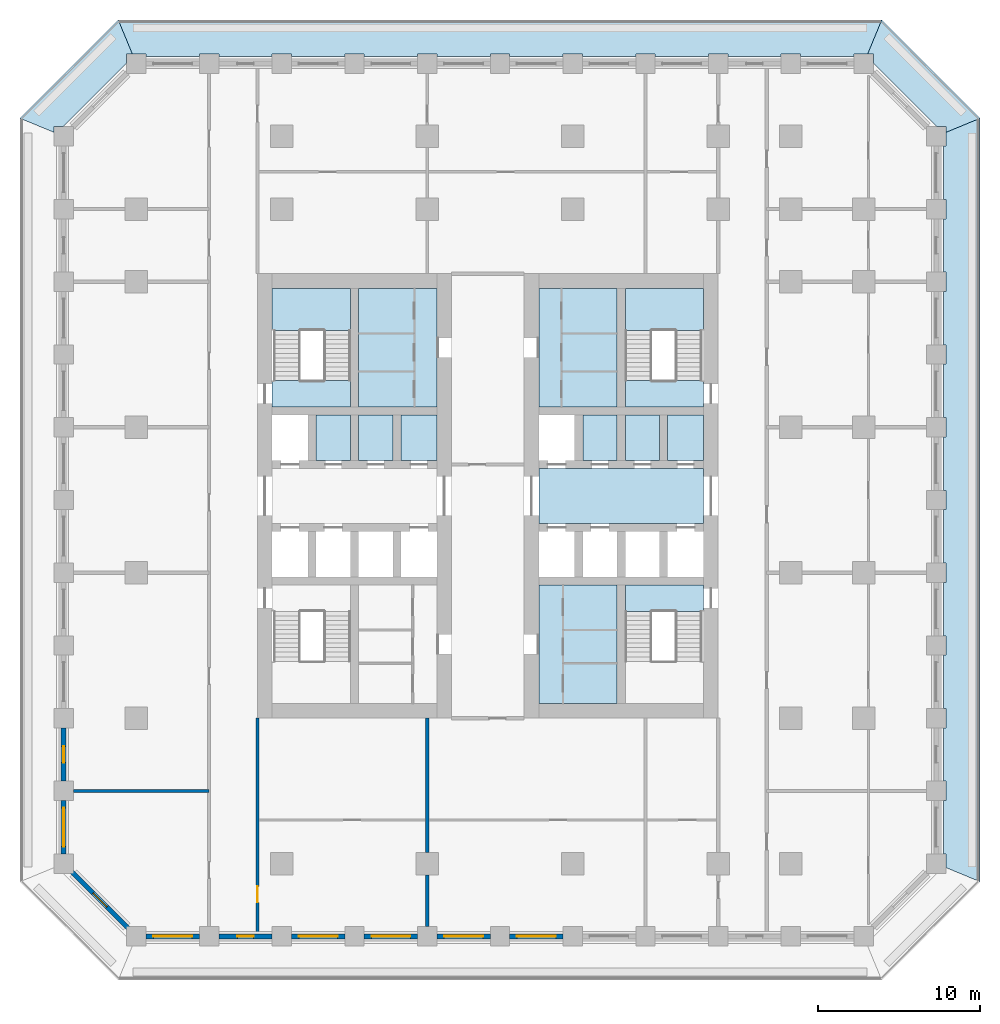
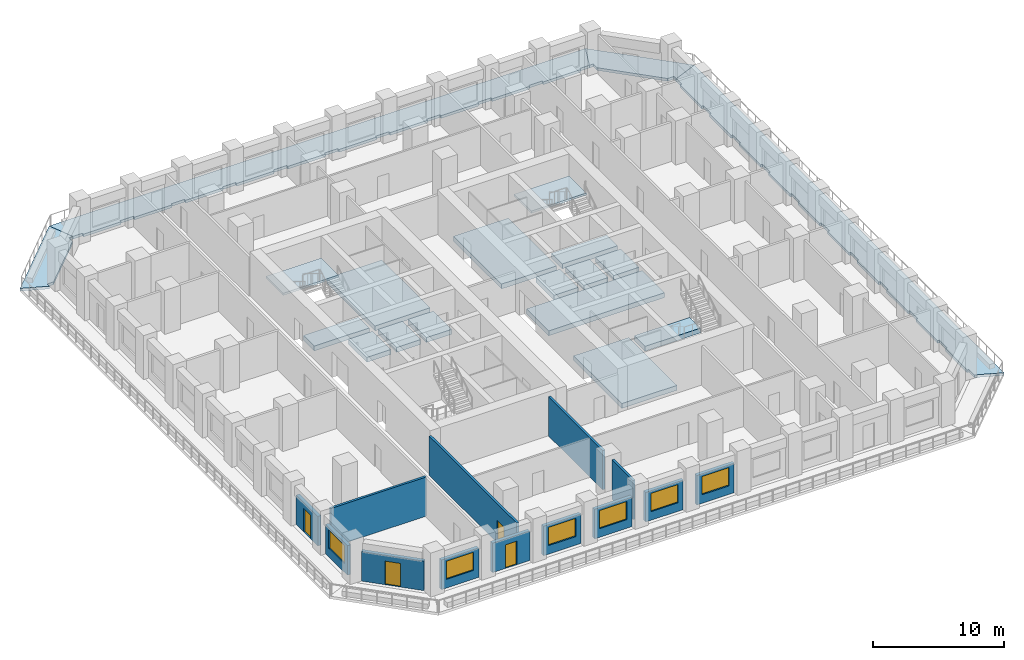
# One storey, part 2 of 17: 19 slabs, 13 walls, 6 windows, 4 doors, 10 openings, 2 elements without a shape of their own.
"""IFC4 building model written with IfcOpenShell, lengths in metres."""

from ifc_helpers import new_model, si_unit, direction, frame, frame_2d, origin, place, context, subcontext, project, spatial, polyline, rectangle, outline, extrude, material, layer, layer_set, type_object, element, fill, aggregate, save


model = new_model("IFC4")

# Units and contexts
model_context = context("Model", 3, precision=1e-05, world=origin(), true_north=direction((0.0, 1.0)))
body_context = subcontext(model_context, "Body", "Model", "MODEL_VIEW")
ifc_project = project(units=[si_unit("LENGTHUNIT", "METRE"), si_unit("AREAUNIT", "SQUARE_METRE"), si_unit("VOLUMEUNIT", "CUBIC_METRE"), si_unit("PLANEANGLEUNIT", "RADIAN"), si_unit("MASSUNIT", "GRAM", prefix="KILO")], contexts=[model_context])

# Site, building, storey
site_placement = place(None, origin())
site = spatial("IfcSite", under=ifc_project, at=site_placement, CompositionType="ELEMENT")
building_placement = place(site_placement, origin())
building = spatial("IfcBuilding", under=site, at=building_placement, Name="Corbel Stack Research Tower", CompositionType="ELEMENT")
storey_placement = place(building_placement, frame((0.0, 0.0, 86.10009765625)))
storey = spatial("IfcBuildingStorey", under=building, at=storey_placement, Name="L19", CompositionType="ELEMENT", Elevation=86.10009765625)

# Slabs
ifc_material_1 = material(Name="Concrete C45/55", Category="concrete")
ifc_layer_1 = layer(ifc_material_1, 0.25)
ifc_layer_set_1 = layer_set([ifc_layer_1], Name="Concrete C45/55")
slab_type_1 = type_object("IfcSlabType", Name="PT balcony slab 250 C45/55", PredefinedType="FLOOR", material=ifc_layer_set_1)
slab_1_placement = place(storey_placement, frame((0.0, 0.0, -0.25)))
element("IfcSlab", 1, at=slab_1_placement, inside=storey, type_object=slab_type_1, Name="Loggia slab L19 E", PredefinedType="FLOOR", context=body_context, shape_type="SweptSolid", body=[
    extrude(outline(polyline([(32.10009765625, 27.24853515625), (32.10009765625, 26.39990234375), (31.949951171875, 26.39990234375), (31.949951171875, 23.10009765625), (32.10009765625, 23.10009765625), (32.10009765625, 21.89990234375), (31.949951171875, 21.89990234375), (31.949951171875, 18.60009765625), (32.10009765625, 18.60009765625), (32.10009765625, 17.39990234375), (31.949951171875, 17.39990234375), (31.949951171875, 14.10009765625), (32.10009765625, 14.10009765625), (32.10009765625, 12.89990234375), (31.949951171875, 12.89990234375), (31.949951171875, 9.60009765625), (32.10009765625, 9.60009765625), (32.10009765625, 8.39990234375), (31.949951171875, 8.39990234375), (31.949951171875, 5.10009765625), (32.10009765625, 5.10009765625), (32.10009765625, 3.89990234375), (31.949951171875, 3.89990234375), (31.949951171875, 0.60009765625), (32.10009765625, 0.60009765625), (32.10009765625, -0.60009765625), (31.949951171875, -0.60009765625), (31.949951171875, -3.89990234375), (32.10009765625, -3.89990234375), (32.10009765625, -5.10009765625), (31.949951171875, -5.10009765625), (31.949951171875, -8.39990234375), (32.10009765625, -8.39990234375), (32.10009765625, -9.60009765625), (31.949951171875, -9.60009765625), (31.949951171875, -12.89990234375), (32.10009765625, -12.89990234375), (32.10009765625, -14.10009765625), (31.949951171875, -14.10009765625), (31.949951171875, -17.39990234375), (32.10009765625, -17.39990234375), (32.10009765625, -18.24853515625), (34.199951171875, -19.118408203125), (34.199951171875, 28.118408203125), (32.10009765625, 27.24853515625)])), origin(), (0.0, 0.0, 1.0), 0.25),
])
slab_2_placement = place(storey_placement, frame((0.0, 0.0, -0.25)))
element("IfcSlab", 2, at=slab_2_placement, inside=storey, type_object=slab_type_1, Name="Loggia slab L19 NE", PredefinedType="FLOOR", context=body_context, shape_type="SweptSolid", body=[
    extrude(outline(polyline([(27.24853515625, 32.10009765625), (27.60009765625, 32.10009765625), (27.60009765625, 31.536376953125), (31.536376953125, 27.60009765625), (32.10009765625, 27.60009765625), (32.10009765625, 27.24853515625), (34.199951171875, 28.118408203125), (28.118408203125, 34.199951171875), (27.24853515625, 32.10009765625)])), origin(), (0.0, 0.0, 1.0), 0.25),
])
slab_3_placement = place(storey_placement, frame((0.0, 0.0, -0.25)))
element("IfcSlab", 3, at=slab_3_placement, inside=storey, type_object=slab_type_1, Name="Loggia slab L19 N", PredefinedType="FLOOR", context=body_context, shape_type="SweptSolid", body=[
    extrude(outline(polyline([(-18.24853515625, 32.10009765625), (-17.39990234375, 32.10009765625), (-17.39990234375, 31.949951171875), (-14.10009765625, 31.949951171875), (-14.10009765625, 32.10009765625), (-12.89990234375, 32.10009765625), (-12.89990234375, 31.949951171875), (-9.60009765625, 31.949951171875), (-9.60009765625, 32.10009765625), (-8.39990234375, 32.10009765625), (-8.39990234375, 31.949951171875), (-5.10009765625, 31.949951171875), (-5.10009765625, 32.10009765625), (-3.89990234375, 32.10009765625), (-3.89990234375, 31.949951171875), (-0.60009765625, 31.949951171875), (-0.60009765625, 32.10009765625), (0.60009765625, 32.10009765625), (0.60009765625, 31.949951171875), (3.89990234375, 31.949951171875), (3.89990234375, 32.10009765625), (5.10009765625, 32.10009765625), (5.10009765625, 31.949951171875), (8.39990234375, 31.949951171875), (8.39990234375, 32.10009765625), (9.60009765625, 32.10009765625), (9.60009765625, 31.949951171875), (12.89990234375, 31.949951171875), (12.89990234375, 32.10009765625), (14.10009765625, 32.10009765625), (14.10009765625, 31.949951171875), (17.39990234375, 31.949951171875), (17.39990234375, 32.10009765625), (18.60009765625, 32.10009765625), (18.60009765625, 31.949951171875), (21.89990234375, 31.949951171875), (21.89990234375, 32.10009765625), (23.10009765625, 32.10009765625), (23.10009765625, 31.949951171875), (26.39990234375, 31.949951171875), (26.39990234375, 32.10009765625), (27.24853515625, 32.10009765625), (28.118408203125, 34.199951171875), (-19.118408203125, 34.199951171875), (-18.24853515625, 32.10009765625)])), origin(), (0.0, 0.0, 1.0), 0.25),
])
slab_4_placement = place(storey_placement, frame((0.0, 0.0, -0.25)))
element("IfcSlab", 4, at=slab_4_placement, inside=storey, type_object=slab_type_1, Name="Loggia slab L19 NW", PredefinedType="FLOOR", context=body_context, shape_type="SweptSolid", body=[
    extrude(outline(polyline([(-23.10009765625, 27.24853515625), (-23.10009765625, 27.60009765625), (-22.536376953125, 27.60009765625), (-18.60009765625, 31.536376953125), (-18.60009765625, 32.10009765625), (-18.24853515625, 32.10009765625), (-19.118408203125, 34.199951171875), (-25.199951171875, 28.118408203125), (-23.10009765625, 27.24853515625)])), origin(), (0.0, 0.0, 1.0), 0.25),
])
ifc_material_2 = material(Name="Concrete C45/55", Category="concrete")
ifc_layer_2 = layer(ifc_material_2, 0.449951171875)
ifc_layer_set_2 = layer_set([ifc_layer_2], Name="Concrete C45/55")
slab_type_2 = type_object("IfcSlabType", Name="PT-450", PredefinedType="FLOOR", material=ifc_layer_set_2)
slab_5_placement = place(storey_placement, frame((0.0, 0.0, -0.4501953125)))
element("IfcSlab", 5, at=slab_5_placement, inside=storey, type_object=slab_type_2, Name="West core floor L19", PredefinedType="FLOOR", context=body_context, shape_type="SweptSolid", body=[
    extrude(outline(polyline([(-6.875, 6.949951171875), (-4.75, 6.949951171875), (-4.75, 9.75), (-6.875, 9.75), (-6.875, 6.949951171875)])), origin(), (0.0, 0.0, 1.0), 0.4501953125),
])
slab_6_placement = place(storey_placement, frame((0.0, 0.0, -0.4501953125)))
element("IfcSlab", 6, at=slab_6_placement, inside=storey, type_object=slab_type_2, Name="West core floor L19", PredefinedType="FLOOR", context=body_context, shape_type="SweptSolid", body=[
    extrude(outline(polyline([(-2.125, 6.949951171875), (-2.125, 9.75), (-4.25, 9.75), (-4.25, 6.949951171875), (-2.125, 6.949951171875)])), origin(), (0.0, 0.0, 1.0), 0.4501953125),
])
slab_7_placement = place(storey_placement, frame((0.0, 0.0, -0.4501953125)))
element("IfcSlab", 7, at=slab_7_placement, inside=storey, type_object=slab_type_2, Name="West core floor L19", PredefinedType="FLOOR", context=body_context, shape_type="SweptSolid", body=[
    extrude(outline(polyline([(0.60009765625, 17.60009765625), (-4.25, 17.60009765625), (-4.25, 10.25), (0.60009765625, 10.25), (0.60009765625, 17.60009765625)])), origin(), (0.0, 0.0, 1.0), 0.4501953125),
])
slab_8_placement = place(storey_placement, frame((0.0, 0.0, -0.4501953125)))
element("IfcSlab", 8, at=slab_8_placement, inside=storey, type_object=slab_type_2, Name="West core floor L19", PredefinedType="FLOOR", context=body_context, shape_type="SweptSolid", body=[
    extrude(outline(polyline([(0.60009765625, 9.75), (-1.625, 9.75), (-1.625, 6.949951171875), (0.60009765625, 6.949951171875), (0.60009765625, 9.75)])), origin(), (0.0, 0.0, 1.0), 0.4501953125),
])
slab_9_placement = place(storey_placement, frame((0.0, 0.0, -0.4501953125)))
element("IfcSlab", 9, at=slab_9_placement, inside=storey, type_object=slab_type_2, Name="East core floor L19", PredefinedType="FLOOR", context=body_context, shape_type="SweptSolid", body=[
    extrude(outline(polyline([(11.75, -0.75), (6.89990234375, -0.75), (6.89990234375, -8.10009765625), (11.75, -8.10009765625), (11.75, -0.75)])), origin(), (0.0, 0.0, 1.0), 0.4501953125),
])
slab_10_placement = place(storey_placement, frame((0.0, 0.0, -0.4501953125)))
element("IfcSlab", 10, at=slab_10_placement, inside=storey, type_object=slab_type_2, Name="East core floor L19", PredefinedType="FLOOR", context=body_context, shape_type="SweptSolid", body=[
    extrude(outline(polyline([(6.89990234375, 6.449951171875), (6.89990234375, 3.050048828125), (17.10009765625, 3.050048828125), (17.10009765625, 6.449951171875), (6.89990234375, 6.449951171875)])), origin(), (0.0, 0.0, 1.0), 0.4501953125),
])
slab_11_placement = place(storey_placement, frame((0.0, 0.0, -0.4501953125)))
element("IfcSlab", 11, at=slab_11_placement, inside=storey, type_object=slab_type_2, Name="East core floor L19", PredefinedType="FLOOR", context=body_context, shape_type="SweptSolid", body=[
    extrude(outline(polyline([(6.89990234375, 17.60009765625), (6.89990234375, 10.25), (11.75, 10.25), (11.75, 17.60009765625), (6.89990234375, 17.60009765625)])), origin(), (0.0, 0.0, 1.0), 0.4501953125),
])
slab_12_placement = place(storey_placement, frame((0.0, 0.0, -0.4501953125)))
element("IfcSlab", 12, at=slab_12_placement, inside=storey, type_object=slab_type_2, Name="East core floor L19", PredefinedType="FLOOR", context=body_context, shape_type="SweptSolid", body=[
    extrude(outline(polyline([(9.625, 6.949951171875), (11.75, 6.949951171875), (11.75, 9.75), (9.625, 9.75), (9.625, 6.949951171875)])), origin(), (0.0, 0.0, 1.0), 0.4501953125),
])
slab_13_placement = place(storey_placement, frame((0.0, 0.0, -0.4501953125)))
element("IfcSlab", 13, at=slab_13_placement, inside=storey, type_object=slab_type_2, Name="East core floor L19", PredefinedType="FLOOR", context=body_context, shape_type="SweptSolid", body=[
    extrude(outline(polyline([(14.375, 6.949951171875), (14.375, 9.75), (12.25, 9.75), (12.25, 6.949951171875), (14.375, 6.949951171875)])), origin(), (0.0, 0.0, 1.0), 0.4501953125),
])
slab_14_placement = place(storey_placement, frame((0.0, 0.0, -0.4501953125)))
element("IfcSlab", 14, at=slab_14_placement, inside=storey, type_object=slab_type_2, Name="East core floor L19", PredefinedType="FLOOR", context=body_context, shape_type="SweptSolid", body=[
    extrude(outline(polyline([(17.10009765625, 6.949951171875), (17.10009765625, 9.75), (14.875, 9.75), (14.875, 6.949951171875), (17.10009765625, 6.949951171875)])), origin(), (0.0, 0.0, 1.0), 0.4501953125),
])
slab_15_placement = place(storey_placement, frame((0.0, 0.0, -0.4501953125)))
element("IfcSlab", 15, at=slab_15_placement, inside=storey, type_object=slab_type_2, Name="Stair floor landing ST-W2", PredefinedType="FLOOR", context=body_context, shape_type="SweptSolid", body=[
    extrude(outline(polyline([(-9.60009765625, 10.25), (-4.75, 10.25), (-4.75, 11.89990234375), (-9.60009765625, 11.89990234375), (-9.60009765625, 10.25)])), origin(), (0.0, 0.0, 1.0), 0.4501953125),
])
slab_16_placement = place(storey_placement, frame((0.0, 0.0, -0.4501953125)))
element("IfcSlab", 16, at=slab_16_placement, inside=storey, type_object=slab_type_2, Name="Stair floor landing ST-E1", PredefinedType="FLOOR", context=body_context, shape_type="SweptSolid", body=[
    extrude(outline(polyline([(12.25, -2.39990234375), (17.10009765625, -2.39990234375), (17.10009765625, -0.75), (12.25, -0.75), (12.25, -2.39990234375)])), origin(), (0.0, 0.0, 1.0), 0.4501953125),
])
slab_17_placement = place(storey_placement, frame((0.0, 0.0, -0.4501953125)))
element("IfcSlab", 17, at=slab_17_placement, inside=storey, type_object=slab_type_2, Name="Stair floor landing ST-E2", PredefinedType="FLOOR", context=body_context, shape_type="SweptSolid", body=[
    extrude(outline(polyline([(12.25, 10.25), (17.10009765625, 10.25), (17.10009765625, 11.89990234375), (12.25, 11.89990234375), (12.25, 10.25)])), origin(), (0.0, 0.0, 1.0), 0.4501953125),
])

# Stair, slab
ifc_material_3 = material(Name="Concrete C40/50", Category="concrete")
stair_type = type_object("IfcStairType", Name="Exit stair 24 risers", PredefinedType="HALF_TURN_STAIR", material=ifc_material_3)
stair_1_placement = place(storey_placement, origin())
stair_1 = element("IfcStair", 18, at=stair_1_placement, inside=storey, type_object=stair_type, Name="L19 Exit stair ST-W2", PredefinedType="HALF_TURN_STAIR")
ifc_material_4 = material(Name="Concrete C40/50", Category="concrete")
ifc_layer_3 = layer(ifc_material_4, 0.199951171875)
ifc_layer_set_3 = layer_set([ifc_layer_3], Name="Concrete C40/50")
slab_type_3 = type_object("IfcSlabType", Name="Stair landing 200 C40/50", PredefinedType="LANDING", material=ifc_layer_set_3)
slab_18_placement = place(storey_placement, frame((0.0, 0.0, 1.849853515625)))
slab_18 = element("IfcSlab", 19, at=slab_18_placement, type_object=slab_type_3, Name="ST-W2 landing 1", PredefinedType="LANDING", context=body_context, shape_type="SweptSolid", body=[
    extrude(outline(polyline([(-9.60009765625, 14.97998046875), (-9.60009765625, 17.60009765625), (-4.75, 17.60009765625), (-4.75, 14.97998046875), (-9.60009765625, 14.97998046875)])), origin(), (0.0, 0.0, 1.0), 0.199951171875),
])
aggregate(stair_1, [slab_18])

stair_2_placement = place(storey_placement, origin())
stair_2 = element("IfcStair", 20, at=stair_2_placement, inside=storey, type_object=stair_type, Name="L19 Exit stair ST-E2", PredefinedType="HALF_TURN_STAIR")
slab_19_placement = place(storey_placement, frame((0.0, 0.0, 1.849853515625)))
slab_19 = element("IfcSlab", 21, at=slab_19_placement, type_object=slab_type_3, Name="ST-E2 landing 1", PredefinedType="LANDING", context=body_context, shape_type="SweptSolid", body=[
    extrude(outline(polyline([(12.25, 14.97998046875), (12.25, 17.60009765625), (17.10009765625, 17.60009765625), (17.10009765625, 14.97998046875), (12.25, 14.97998046875)])), origin(), (0.0, 0.0, 1.0), 0.199951171875),
])
aggregate(stair_2, [slab_19])

# Wall, opening, door
ifc_material_5 = material(Name="Fire-rated gypsum board partition on steel studs", Category="steel")
ifc_layer_4 = layer(ifc_material_5, 0.199951171875)
ifc_layer_set_4 = layer_set([ifc_layer_4], Name="Fire-rated gypsum board partition on steel studs")
wall_type_1 = type_object("IfcWallType", Name="Fire-rated partition 200 EI 60", PredefinedType="PARTITIONING", material=ifc_layer_set_4)
wall_1_placement = place(storey_placement, frame((-10.5, -9.0, 0.0), z_axis=(0.0, 0.0, 1.0), x_axis=(0.0, -1.0, 0.0)))
wall_1 = element("IfcWall", 22, at=wall_1_placement, inside=storey, type_object=wall_type_1, Name="Partition L19-002", PredefinedType="PARTITIONING", context=body_context, shape_type="SweptSolid", body=[
    extrude(rectangle(XDim=13.35009765625, YDim=0.199951171875, at=frame_2d((6.675048828125, 0.0))), origin(), (0.0, 0.0, 1.0), 3.64990234375),
])
opening_1_placement = place(wall_1_placement, frame((10.39990234375, 0.0, 0.0)))
opening_1 = element("IfcOpeningElement", 23, at=opening_1_placement, cuts=wall_1, Name="Opening B3V1-010", PredefinedType="OPENING", context=body_context, shape_type="SweptSolid", body=[
    extrude(rectangle(XDim=1.0, YDim=2.10009765625, at=frame_2d((0.5, 1.050048828125))), frame((0.0, 0.10986328125, 0.0), z_axis=(0.0, -1.0, 0.0), x_axis=(1.0, 0.0, 0.0)), (0.0, 0.0, 1.0), 0.219970703125),
])
ifc_material_6 = material(Name="Painted steel fire door", Category="steel")
door_type_1 = type_object("IfcDoorType", Name="Fire door FD30S 1000 x 2100", OperationType="NOTDEFINED", PredefinedType="DOOR", material=ifc_material_6)
door_1_placement = place(opening_1_placement, origin())
door_1 = element("IfcDoor", 24, at=door_1_placement, inside=storey, type_object=door_type_1, Name="Door B3V1-010", OperationType="SINGLE_SWING_RIGHT", OverallHeight=2.10009765625, OverallWidth=1.0, PredefinedType="DOOR", context=body_context, shape_type="SweptSolid", body=[
    extrude(rectangle(XDim=1.0, YDim=2.10009765625, at=frame_2d((0.5, 1.050048828125))), frame((0.0, 0.02490234375, 0.0), z_axis=(0.0, -1.0, 0.0), x_axis=(1.0, 0.0, 0.0)), (0.0, 0.0, 1.0), 0.050048828125),
])
fill(opening_1, door_1)

# Walls
wall_2_placement = place(storey_placement, frame((0.0, -21.89990234375, 0.0), z_axis=(0.0, 0.0, 1.0), x_axis=(0.0, 1.0, 0.0)))
element("IfcWall", 25, at=wall_2_placement, inside=storey, type_object=wall_type_1, Name="Partition L19-007", PredefinedType="PARTITIONING", context=body_context, shape_type="SweptSolid", body=[
    extrude(rectangle(XDim=3.199951171875, YDim=0.199951171875, at=frame_2d((1.60009765625, 0.0))), origin(), (0.0, 0.0, 1.0), 3.64990234375),
])
wall_3_placement = place(storey_placement, frame((0.0, -17.300048828125, 0.0), z_axis=(0.0, 0.0, 1.0), x_axis=(0.0, 1.0, 0.0)))
element("IfcWall", 26, at=wall_3_placement, inside=storey, type_object=wall_type_1, Name="Partition L19-008", PredefinedType="PARTITIONING", context=body_context, shape_type="SweptSolid", body=[
    extrude(rectangle(XDim=8.300048828125, YDim=0.199951171875, at=frame_2d((4.14990234375, 0.0))), origin(), (0.0, 0.0, 1.0), 3.64990234375),
])
wall_4_placement = place(storey_placement, frame((-21.89990234375, -13.5, 0.0), z_axis=(0.0, 0.0, 1.0), x_axis=(1.0, 0.0, 0.0)))
element("IfcWall", 27, at=wall_4_placement, inside=storey, type_object=wall_type_1, Name="Partition L19-024", PredefinedType="PARTITIONING", context=body_context, shape_type="SweptSolid", body=[
    extrude(rectangle(XDim=8.39990234375, YDim=0.199951171875, at=frame_2d((4.199951171875, 0.0))), origin(), (0.0, 0.0, 1.0), 3.64990234375),
])

# Wall, opening, window
ifc_material_7 = material(Name="Concrete C45/55", Category="concrete")
ifc_layer_5 = layer(ifc_material_7, 0.300048828125)
ifc_layer_set_5 = layer_set([ifc_layer_5], Name="Concrete C45/55")
wall_type_2 = type_object("IfcWallType", Name="Terracotta-faced concrete wall 300", PredefinedType="SOLIDWALL", material=ifc_layer_set_5)
wall_5_placement = place(storey_placement, frame((-14.10009765625, -22.5, 0.0), z_axis=(0.0, 0.0, 1.0), x_axis=(-1.0, 0.0, 0.0)))
wall_5 = element("IfcWall", 28, at=wall_5_placement, inside=storey, type_object=wall_type_2, Name="Facade wall L19 S01", PredefinedType="SOLIDWALL", context=body_context, shape_type="SweptSolid", body=[
    extrude(rectangle(XDim=3.2998046875, YDim=0.300048828125, at=frame_2d((1.64990234375, 0.0))), origin(), (0.0, 0.0, 1.0), 2.75),
])
opening_2_placement = place(wall_5_placement, frame((0.449951171875, 0.0, 0.800048828125)))
opening_2 = element("IfcOpeningElement", 29, at=opening_2_placement, cuts=wall_5, Name="Opening W1", PredefinedType="OPENING", context=body_context, shape_type="SweptSolid", body=[
    extrude(rectangle(XDim=2.39990234375, YDim=1.699951171875, at=frame_2d((1.199951171875, 0.85009765625))), frame((0.0, 0.159912109375, 0.0), z_axis=(0.0, -1.0, 0.0), x_axis=(1.0, 0.0, 0.0)), (0.0, 0.0, 1.0), 0.320068359375),
])
ifc_material_8 = material(Name="Aluminium frame, clear double glazing", Category="aluminium")
window_type = type_object("IfcWindowType", Name="Window W1 2400 x 1700", PartitioningType="SINGLE_PANEL", PredefinedType="WINDOW", material=ifc_material_8)
window_1_placement = place(opening_2_placement, origin())
window_1 = element("IfcWindow", 30, at=window_1_placement, inside=storey, type_object=window_type, Name="Window W1 L19 S01", OverallHeight=1.699951171875, OverallWidth=2.39990234375, PartitioningType="SINGLE_PANEL", PredefinedType="WINDOW", context=body_context, shape_type="SweptSolid", body=[
    extrude(rectangle(XDim=2.39990234375, YDim=1.699951171875, at=frame_2d((1.199951171875, 0.85009765625))), frame((0.0, 0.030029296875, 0.0), z_axis=(0.0, -1.0, 0.0), x_axis=(1.0, 0.0, 0.0)), (0.0, 0.0, 1.0), 0.06005859375),
])
fill(opening_2, window_1)

# Wall, opening, door
wall_6_placement = place(storey_placement, frame((-9.60009765625, -22.5, 0.0), z_axis=(0.0, 0.0, 1.0), x_axis=(-1.0, 0.0, 0.0)))
wall_6 = element("IfcWall", 31, at=wall_6_placement, inside=storey, type_object=wall_type_2, Name="Facade wall L19 S02", PredefinedType="SOLIDWALL", context=body_context, shape_type="SweptSolid", body=[
    extrude(rectangle(XDim=3.2998046875, YDim=0.300048828125, at=frame_2d((1.64990234375, 0.0))), origin(), (0.0, 0.0, 1.0), 2.75),
])
opening_3_placement = place(wall_6_placement, frame((1.14990234375, 0.0, 0.0)))
opening_3 = element("IfcOpeningElement", 32, at=opening_3_placement, cuts=wall_6, Name="Opening L19-B01", PredefinedType="OPENING", context=body_context, shape_type="SweptSolid", body=[
    extrude(rectangle(XDim=1.0, YDim=2.199951171875, at=frame_2d((0.5, 1.10009765625))), frame((0.0, 0.159912109375, 0.0), z_axis=(0.0, -1.0, 0.0), x_axis=(1.0, 0.0, 0.0)), (0.0, 0.0, 1.0), 0.320068359375),
])
ifc_material_9 = material(Name="Aluminium frame, clear double glazing", Category="aluminium")
door_type_2 = type_object("IfcDoorType", Name="Balcony door BD1 1000 x 2200", OperationType="NOTDEFINED", PredefinedType="DOOR", material=ifc_material_9)
door_2_placement = place(opening_3_placement, origin())
door_2 = element("IfcDoor", 33, at=door_2_placement, inside=storey, type_object=door_type_2, Name="Balcony door L19-B01", OperationType="SINGLE_SWING_LEFT", OverallHeight=2.199951171875, OverallWidth=1.0, PredefinedType="DOOR", context=body_context, shape_type="SweptSolid", body=[
    extrude(rectangle(XDim=1.0, YDim=2.199951171875, at=frame_2d((0.5, 1.10009765625))), frame((0.0, 0.02490234375, 0.0), z_axis=(0.0, -1.0, 0.0), x_axis=(1.0, 0.0, 0.0)), (0.0, 0.0, 1.0), 0.050048828125),
])
fill(opening_3, door_2)

# Wall, opening, window
wall_7_placement = place(storey_placement, frame((-5.10009765625, -22.5, 0.0), z_axis=(0.0, 0.0, 1.0), x_axis=(-1.0, 0.0, 0.0)))
wall_7 = element("IfcWall", 34, at=wall_7_placement, inside=storey, type_object=wall_type_2, Name="Facade wall L19 S03", PredefinedType="SOLIDWALL", context=body_context, shape_type="SweptSolid", body=[
    extrude(rectangle(XDim=3.2998046875, YDim=0.300048828125, at=frame_2d((1.64990234375, 0.0))), origin(), (0.0, 0.0, 1.0), 2.75),
])
opening_4_placement = place(wall_7_placement, frame((0.449951171875, 0.0, 0.800048828125)))
opening_4 = element("IfcOpeningElement", 35, at=opening_4_placement, cuts=wall_7, Name="Opening W1", PredefinedType="OPENING", context=body_context, shape_type="SweptSolid", body=[
    extrude(rectangle(XDim=2.39990234375, YDim=1.699951171875, at=frame_2d((1.199951171875, 0.85009765625))), frame((0.0, 0.159912109375, 0.0), z_axis=(0.0, -1.0, 0.0), x_axis=(1.0, 0.0, 0.0)), (0.0, 0.0, 1.0), 0.320068359375),
])
window_2_placement = place(opening_4_placement, origin())
window_2 = element("IfcWindow", 36, at=window_2_placement, inside=storey, type_object=window_type, Name="Window W1 L19 S03", OverallHeight=1.699951171875, OverallWidth=2.39990234375, PartitioningType="SINGLE_PANEL", PredefinedType="WINDOW", context=body_context, shape_type="SweptSolid", body=[
    extrude(rectangle(XDim=2.39990234375, YDim=1.699951171875, at=frame_2d((1.199951171875, 0.85009765625))), frame((0.0, 0.030029296875, 0.0), z_axis=(0.0, -1.0, 0.0), x_axis=(1.0, 0.0, 0.0)), (0.0, 0.0, 1.0), 0.06005859375),
])
fill(opening_4, window_2)

wall_8_placement = place(storey_placement, frame((-0.60009765625, -22.5, 0.0), z_axis=(0.0, 0.0, 1.0), x_axis=(-1.0, 0.0, 0.0)))
wall_8 = element("IfcWall", 37, at=wall_8_placement, inside=storey, type_object=wall_type_2, Name="Facade wall L19 S04", PredefinedType="SOLIDWALL", context=body_context, shape_type="SweptSolid", body=[
    extrude(rectangle(XDim=3.2998046875, YDim=0.300048828125, at=frame_2d((1.64990234375, 0.0))), origin(), (0.0, 0.0, 1.0), 2.75),
])
opening_5_placement = place(wall_8_placement, frame((0.449951171875, 0.0, 0.800048828125)))
opening_5 = element("IfcOpeningElement", 38, at=opening_5_placement, cuts=wall_8, Name="Opening W1", PredefinedType="OPENING", context=body_context, shape_type="SweptSolid", body=[
    extrude(rectangle(XDim=2.39990234375, YDim=1.699951171875, at=frame_2d((1.199951171875, 0.85009765625))), frame((0.0, 0.159912109375, 0.0), z_axis=(0.0, -1.0, 0.0), x_axis=(1.0, 0.0, 0.0)), (0.0, 0.0, 1.0), 0.320068359375),
])
window_3_placement = place(opening_5_placement, origin())
window_3 = element("IfcWindow", 39, at=window_3_placement, inside=storey, type_object=window_type, Name="Window W1 L19 S04", OverallHeight=1.699951171875, OverallWidth=2.39990234375, PartitioningType="SINGLE_PANEL", PredefinedType="WINDOW", context=body_context, shape_type="SweptSolid", body=[
    extrude(rectangle(XDim=2.39990234375, YDim=1.699951171875, at=frame_2d((1.199951171875, 0.85009765625))), frame((0.0, 0.030029296875, 0.0), z_axis=(0.0, -1.0, 0.0), x_axis=(1.0, 0.0, 0.0)), (0.0, 0.0, 1.0), 0.06005859375),
])
fill(opening_5, window_3)

wall_9_placement = place(storey_placement, frame((3.89990234375, -22.5, 0.0), z_axis=(0.0, 0.0, 1.0), x_axis=(-1.0, 0.0, 0.0)))
wall_9 = element("IfcWall", 40, at=wall_9_placement, inside=storey, type_object=wall_type_2, Name="Facade wall L19 S05", PredefinedType="SOLIDWALL", context=body_context, shape_type="SweptSolid", body=[
    extrude(rectangle(XDim=3.2998046875, YDim=0.300048828125, at=frame_2d((1.64990234375, 0.0))), origin(), (0.0, 0.0, 1.0), 2.75),
])
opening_6_placement = place(wall_9_placement, frame((0.449951171875, 0.0, 0.800048828125)))
opening_6 = element("IfcOpeningElement", 41, at=opening_6_placement, cuts=wall_9, Name="Opening W1", PredefinedType="OPENING", context=body_context, shape_type="SweptSolid", body=[
    extrude(rectangle(XDim=2.39990234375, YDim=1.699951171875, at=frame_2d((1.199951171875, 0.85009765625))), frame((0.0, 0.159912109375, 0.0), z_axis=(0.0, -1.0, 0.0), x_axis=(1.0, 0.0, 0.0)), (0.0, 0.0, 1.0), 0.320068359375),
])
window_4_placement = place(opening_6_placement, origin())
window_4 = element("IfcWindow", 42, at=window_4_placement, inside=storey, type_object=window_type, Name="Window W1 L19 S05", OverallHeight=1.699951171875, OverallWidth=2.39990234375, PartitioningType="SINGLE_PANEL", PredefinedType="WINDOW", context=body_context, shape_type="SweptSolid", body=[
    extrude(rectangle(XDim=2.39990234375, YDim=1.699951171875, at=frame_2d((1.199951171875, 0.85009765625))), frame((0.0, 0.030029296875, 0.0), z_axis=(0.0, -1.0, 0.0), x_axis=(1.0, 0.0, 0.0)), (0.0, 0.0, 1.0), 0.06005859375),
])
fill(opening_6, window_4)

wall_10_placement = place(storey_placement, frame((8.39990234375, -22.5, 0.0), z_axis=(0.0, 0.0, 1.0), x_axis=(-1.0, 0.0, 0.0)))
wall_10 = element("IfcWall", 43, at=wall_10_placement, inside=storey, type_object=wall_type_2, Name="Facade wall L19 S06", PredefinedType="SOLIDWALL", context=body_context, shape_type="SweptSolid", body=[
    extrude(rectangle(XDim=3.2998046875, YDim=0.300048828125, at=frame_2d((1.64990234375, 0.0))), origin(), (0.0, 0.0, 1.0), 2.75),
])
opening_7_placement = place(wall_10_placement, frame((0.449951171875, 0.0, 0.800048828125)))
opening_7 = element("IfcOpeningElement", 44, at=opening_7_placement, cuts=wall_10, Name="Opening W1", PredefinedType="OPENING", context=body_context, shape_type="SweptSolid", body=[
    extrude(rectangle(XDim=2.39990234375, YDim=1.699951171875, at=frame_2d((1.199951171875, 0.85009765625))), frame((0.0, 0.159912109375, 0.0), z_axis=(0.0, -1.0, 0.0), x_axis=(1.0, 0.0, 0.0)), (0.0, 0.0, 1.0), 0.320068359375),
])
window_5_placement = place(opening_7_placement, origin())
window_5 = element("IfcWindow", 45, at=window_5_placement, inside=storey, type_object=window_type, Name="Window W1 L19 S06", OverallHeight=1.699951171875, OverallWidth=2.39990234375, PartitioningType="SINGLE_PANEL", PredefinedType="WINDOW", context=body_context, shape_type="SweptSolid", body=[
    extrude(rectangle(XDim=2.39990234375, YDim=1.699951171875, at=frame_2d((1.199951171875, 0.85009765625))), frame((0.0, 0.030029296875, 0.0), z_axis=(0.0, -1.0, 0.0), x_axis=(1.0, 0.0, 0.0)), (0.0, 0.0, 1.0), 0.06005859375),
])
fill(opening_7, window_5)

# Wall, opening, door
wall_11_placement = place(storey_placement, frame((-22.5, -12.89990234375, 0.0), z_axis=(0.0, 0.0, 1.0), x_axis=(0.0, 1.0, 0.0)))
wall_11 = element("IfcWall", 46, at=wall_11_placement, inside=storey, type_object=wall_type_2, Name="Facade wall L19 W09", PredefinedType="SOLIDWALL", context=body_context, shape_type="SweptSolid", body=[
    extrude(rectangle(XDim=3.2998046875, YDim=0.300048828125, at=frame_2d((1.64990234375, 0.0))), origin(), (0.0, 0.0, 1.0), 2.75),
])
opening_8_placement = place(wall_11_placement, frame((1.14990234375, 0.0, 0.0)))
opening_8 = element("IfcOpeningElement", 47, at=opening_8_placement, cuts=wall_11, Name="Opening L19-B11", PredefinedType="OPENING", context=body_context, shape_type="SweptSolid", body=[
    extrude(rectangle(XDim=1.0, YDim=2.199951171875, at=frame_2d((0.5, 1.10009765625))), frame((0.0, 0.159912109375, 0.0), z_axis=(0.0, -1.0, 0.0), x_axis=(1.0, 0.0, 0.0)), (0.0, 0.0, 1.0), 0.320068359375),
])
door_3_placement = place(opening_8_placement, origin())
door_3 = element("IfcDoor", 48, at=door_3_placement, inside=storey, type_object=door_type_2, Name="Balcony door L19-B11", OperationType="SINGLE_SWING_RIGHT", OverallHeight=2.199951171875, OverallWidth=1.0, PredefinedType="DOOR", context=body_context, shape_type="SweptSolid", body=[
    extrude(rectangle(XDim=1.0, YDim=2.199951171875, at=frame_2d((0.5, 1.10009765625))), frame((0.0, 0.02490234375, 0.0), z_axis=(0.0, -1.0, 0.0), x_axis=(1.0, 0.0, 0.0)), (0.0, 0.0, 1.0), 0.050048828125),
])
fill(opening_8, door_3)

# Wall, opening, window
wall_12_placement = place(storey_placement, frame((-22.5, -17.39990234375, 0.0), z_axis=(0.0, 0.0, 1.0), x_axis=(0.0, 1.0, 0.0)))
wall_12 = element("IfcWall", 49, at=wall_12_placement, inside=storey, type_object=wall_type_2, Name="Facade wall L19 W10", PredefinedType="SOLIDWALL", context=body_context, shape_type="SweptSolid", body=[
    extrude(rectangle(XDim=3.2998046875, YDim=0.300048828125, at=frame_2d((1.64990234375, 0.0))), origin(), (0.0, 0.0, 1.0), 2.75),
])
opening_9_placement = place(wall_12_placement, frame((0.449951171875, 0.0, 0.800048828125)))
opening_9 = element("IfcOpeningElement", 50, at=opening_9_placement, cuts=wall_12, Name="Opening W1", PredefinedType="OPENING", context=body_context, shape_type="SweptSolid", body=[
    extrude(rectangle(XDim=2.39990234375, YDim=1.699951171875, at=frame_2d((1.199951171875, 0.85009765625))), frame((0.0, 0.159912109375, 0.0), z_axis=(0.0, -1.0, 0.0), x_axis=(1.0, 0.0, 0.0)), (0.0, 0.0, 1.0), 0.320068359375),
])
window_6_placement = place(opening_9_placement, origin())
window_6 = element("IfcWindow", 51, at=window_6_placement, inside=storey, type_object=window_type, Name="Window W1 L19 W10", OverallHeight=1.699951171875, OverallWidth=2.39990234375, PartitioningType="SINGLE_PANEL", PredefinedType="WINDOW", context=body_context, shape_type="SweptSolid", body=[
    extrude(rectangle(XDim=2.39990234375, YDim=1.699951171875, at=frame_2d((1.199951171875, 0.85009765625))), frame((0.0, 0.030029296875, 0.0), z_axis=(0.0, -1.0, 0.0), x_axis=(1.0, 0.0, 0.0)), (0.0, 0.0, 1.0), 0.06005859375),
])
fill(opening_9, window_6)

# Wall, opening, door
wall_13_placement = place(storey_placement, frame((-18.493896484375, -22.006103515625, 0.0), z_axis=(0.0, 0.0, 1.0), x_axis=(-0.707106781187, 0.707106781187, 0.0)))
wall_13 = element("IfcWall", 52, at=wall_13_placement, inside=storey, type_object=wall_type_2, Name="Facade wall L19 SW01", PredefinedType="SOLIDWALL", context=body_context, shape_type="SweptSolid", body=[
    extrude(rectangle(XDim=4.967041015625, YDim=0.300048828125, at=frame_2d((2.4833984375, 0.0))), origin(), (0.0, 0.0, 1.0), 2.75),
])
opening_10_placement = place(wall_13_placement, frame((1.883544921875, 0.0, 0.0)))
opening_10 = element("IfcOpeningElement", 53, at=opening_10_placement, cuts=wall_13, Name="Opening L19-B12", PredefinedType="OPENING", context=body_context, shape_type="SweptSolid", body=[
    extrude(rectangle(XDim=1.199951171875, YDim=2.199951171875, at=frame_2d((0.60009765625, 1.10009765625))), frame((0.0, 0.159912109375, 0.0), z_axis=(0.0, -1.0, 0.0), x_axis=(1.0, 0.0, 0.0)), (0.0, 0.0, 1.0), 0.320068359375),
])
ifc_material_10 = material(Name="Aluminium frame, clear double glazing", Category="aluminium")
door_type_3 = type_object("IfcDoorType", Name="Balcony door BD2 1200 x 2200", OperationType="NOTDEFINED", PredefinedType="DOOR", material=ifc_material_10)
door_4_placement = place(opening_10_placement, origin())
door_4 = element("IfcDoor", 54, at=door_4_placement, inside=storey, type_object=door_type_3, Name="Balcony door L19-B12", OperationType="SINGLE_SWING_RIGHT", OverallHeight=2.199951171875, OverallWidth=1.199951171875, PredefinedType="DOOR", context=body_context, shape_type="SweptSolid", body=[
    extrude(rectangle(XDim=1.199951171875, YDim=2.199951171875, at=frame_2d((0.60009765625, 1.10009765625))), frame((0.0, 0.02490234375, 0.0), z_axis=(0.0, -1.0, 0.0), x_axis=(1.0, 0.0, 0.0)), (0.0, 0.0, 1.0), 0.050048828125),
])
fill(opening_10, door_4)

save(model, "model.ifc")
